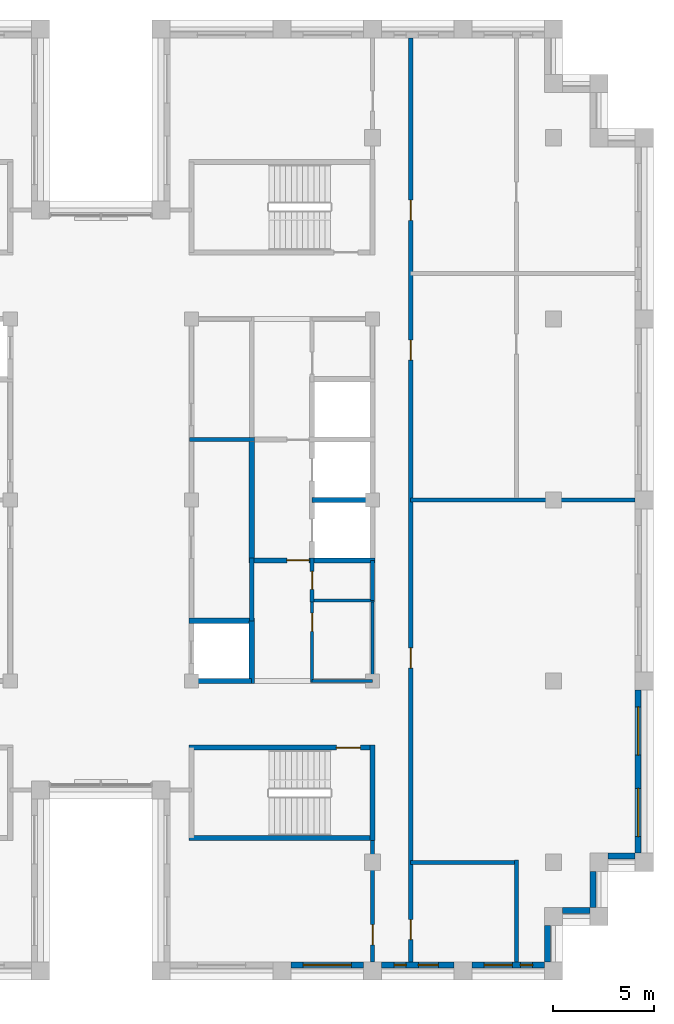
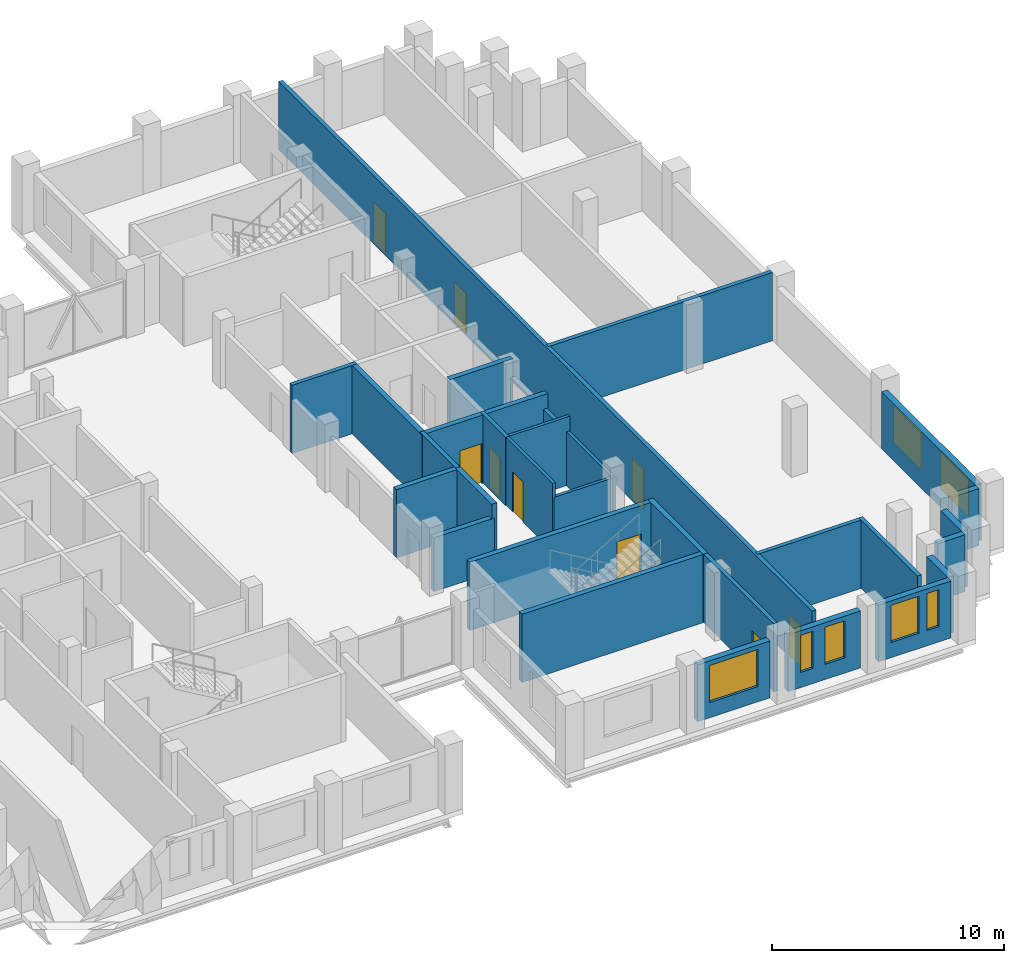
# One storey, part 8 of 13: 30 walls, 9 doors, 7 windows, 16 openings.
"""IFC4 building model written with IfcOpenShell, lengths in metres."""

from ifc_helpers import new_model, si_unit, direction, frame, frame_2d, origin, place, context, subcontext, project, spatial, rectangle, extrude, material, layer, layer_set, type_object, element, fill, save


model = new_model("IFC4")

# Units and contexts
model_context = context("Model", 3, precision=1e-05, world=origin(), true_north=direction((0.0, 1.0)))
body_context = subcontext(model_context, "Body", "Model", "MODEL_VIEW")
ifc_project = project(units=[si_unit("LENGTHUNIT", "METRE"), si_unit("AREAUNIT", "SQUARE_METRE"), si_unit("VOLUMEUNIT", "CUBIC_METRE"), si_unit("PLANEANGLEUNIT", "RADIAN"), si_unit("MASSUNIT", "GRAM", prefix="KILO")], contexts=[model_context])

# Site, building, storey
site_placement = place(None, origin())
site = spatial("IfcSite", under=ifc_project, at=site_placement, CompositionType="ELEMENT")
building_placement = place(site_placement, origin())
building = spatial("IfcBuilding", under=site, at=building_placement, Name="Corbelhall Arena Tower", CompositionType="ELEMENT")
storey_placement = place(building_placement, frame((0.0, 0.0, 316.0)))
storey = spatial("IfcBuildingStorey", under=building, at=storey_placement, Name="L69", CompositionType="ELEMENT", Elevation=316.0)

# Wall, opening, window
ifc_material_1 = material(Name="Precast concrete C40/50 with granite facing", Category="masonry")
ifc_layer_1 = layer(ifc_material_1, 0.300048828125)
ifc_layer_set_1 = layer_set([ifc_layer_1], Name="EV-IW1 Infill panel 300")
wall_type_1 = type_object("IfcWallType", Name="EV-IW1 Infill panel 300", PredefinedType="SOLIDWALL", material=ifc_layer_set_1)
wall_1_placement = place(storey_placement, frame((9.449951171875, -23.10009765625, 0.0), z_axis=(0.0, 0.0, 1.0), x_axis=(1.0, 0.0, 0.0)))
wall_1 = element("IfcWall", 1, at=wall_1_placement, inside=storey, type_object=wall_type_1, Name="Infill panel IW1", PredefinedType="SOLIDWALL", context=body_context, shape_type="SweptSolid", body=[
    extrude(rectangle(XDim=3.60009765625, YDim=0.300048828125, at=frame_2d((1.800048828125, 0.0))), origin(), (0.0, 0.0, 1.0), 2.989990234375),
])
opening_1_placement = place(wall_1_placement, frame((0.60009765625, 0.0, 0.800048828125)))
opening_1 = element("IfcOpeningElement", 2, at=opening_1_placement, cuts=wall_1, Name="Opening WN1", PredefinedType="OPENING", context=body_context, shape_type="SweptSolid", body=[
    extrude(rectangle(XDim=2.39990234375, YDim=1.949951171875, at=frame_2d((1.199951171875, 0.97509765625))), frame((0.0, 0.14990234375, 0.0), z_axis=(0.0, -1.0, 0.0), x_axis=(1.0, 0.0, 0.0)), (0.0, 0.0, 1.0), 0.300048828125),
])
ifc_material_2 = material(Name="Aluminium black anodised", Category="aluminium")
window_type_1 = type_object("IfcWindowType", Name="EV-WN1 Office window", PartitioningType="SINGLE_PANEL", PredefinedType="WINDOW", material=ifc_material_2)
window_1_placement = place(opening_1_placement, origin())
window_1 = element("IfcWindow", 3, at=window_1_placement, inside=storey, type_object=window_type_1, Name="Window WN1", OverallHeight=1.949951171875, OverallWidth=2.39990234375, PartitioningType="SINGLE_PANEL", PredefinedType="WINDOW", context=body_context, shape_type="SweptSolid", body=[
    extrude(rectangle(XDim=2.39990234375, YDim=1.949951171875, at=frame_2d((1.199951171875, 0.97509765625))), frame((0.0, 0.030029296875, 0.0), z_axis=(0.0, -1.0, 0.0), x_axis=(1.0, 0.0, 0.0)), (0.0, 0.0, 1.0), 0.06005859375),
])
fill(opening_1, window_1)

# Wall, openings, windows
wall_2_placement = place(storey_placement, frame((13.949951171875, -23.10009765625, 0.0), z_axis=(0.0, 0.0, 1.0), x_axis=(1.0, 0.0, 0.0)))
wall_2 = element("IfcWall", 4, at=wall_2_placement, inside=storey, type_object=wall_type_1, Name="Infill panel IW1", PredefinedType="SOLIDWALL", context=body_context, shape_type="SweptSolid", body=[
    extrude(rectangle(XDim=3.60009765625, YDim=0.300048828125, at=frame_2d((1.800048828125, 0.0))), origin(), (0.0, 0.0, 1.0), 2.989990234375),
])
opening_2_placement = place(wall_2_placement, frame((0.625, 0.0, 0.800048828125)))
opening_2 = element("IfcOpeningElement", 5, at=opening_2_placement, cuts=wall_2, Name="Opening WN5", PredefinedType="OPENING", context=body_context, shape_type="SweptSolid", body=[
    extrude(rectangle(XDim=0.60009765625, YDim=1.949951171875, at=frame_2d((0.300048828125, 0.97509765625))), frame((0.0, 0.14990234375, 0.0), z_axis=(0.0, -1.0, 0.0), x_axis=(1.0, 0.0, 0.0)), (0.0, 0.0, 1.0), 0.300048828125),
])
opening_3_placement = place(wall_2_placement, frame((1.824951171875, 0.0, 0.800048828125)))
opening_3 = element("IfcOpeningElement", 6, at=opening_3_placement, cuts=wall_2, Name="Opening WN6", PredefinedType="OPENING", context=body_context, shape_type="SweptSolid", body=[
    extrude(rectangle(XDim=1.0, YDim=1.949951171875, at=frame_2d((0.5, 0.97509765625))), frame((0.0, 0.14990234375, 0.0), z_axis=(0.0, -1.0, 0.0), x_axis=(1.0, 0.0, 0.0)), (0.0, 0.0, 1.0), 0.300048828125),
])
window_type_2 = type_object("IfcWindowType", Name="EV-WN5 Office window 600", PartitioningType="SINGLE_PANEL", PredefinedType="WINDOW", material=ifc_material_2)
window_2_placement = place(opening_2_placement, origin())
window_2 = element("IfcWindow", 7, at=window_2_placement, inside=storey, type_object=window_type_2, Name="Window WN5", OverallHeight=1.949951171875, OverallWidth=0.60009765625, PartitioningType="SINGLE_PANEL", PredefinedType="WINDOW", context=body_context, shape_type="SweptSolid", body=[
    extrude(rectangle(XDim=0.60009765625, YDim=1.949951171875, at=frame_2d((0.300048828125, 0.97509765625))), frame((0.0, 0.030029296875, 0.0), z_axis=(0.0, -1.0, 0.0), x_axis=(1.0, 0.0, 0.0)), (0.0, 0.0, 1.0), 0.06005859375),
])
fill(opening_2, window_2)
window_type_3 = type_object("IfcWindowType", Name="EV-WN6 Office window 1000", PartitioningType="SINGLE_PANEL", PredefinedType="WINDOW", material=ifc_material_2)
window_3_placement = place(opening_3_placement, origin())
window_3 = element("IfcWindow", 8, at=window_3_placement, inside=storey, type_object=window_type_3, Name="Window WN6", OverallHeight=1.949951171875, OverallWidth=1.0, PartitioningType="SINGLE_PANEL", PredefinedType="WINDOW", context=body_context, shape_type="SweptSolid", body=[
    extrude(rectangle(XDim=1.0, YDim=1.949951171875, at=frame_2d((0.5, 0.97509765625))), frame((0.0, 0.030029296875, 0.0), z_axis=(0.0, -1.0, 0.0), x_axis=(1.0, 0.0, 0.0)), (0.0, 0.0, 1.0), 0.06005859375),
])
fill(opening_3, window_3)

wall_3_placement = place(storey_placement, frame((18.449951171875, -23.10009765625, 0.0), z_axis=(0.0, 0.0, 1.0), x_axis=(1.0, 0.0, 0.0)))
wall_3 = element("IfcWall", 9, at=wall_3_placement, inside=storey, type_object=wall_type_1, Name="Infill panel IW1", PredefinedType="SOLIDWALL", context=body_context, shape_type="SweptSolid", body=[
    extrude(rectangle(XDim=3.60009765625, YDim=0.300048828125, at=frame_2d((1.800048828125, 0.0))), origin(), (0.0, 0.0, 1.0), 2.989990234375),
])
opening_4_placement = place(wall_3_placement, frame((0.60009765625, 0.0, 0.800048828125)))
opening_4 = element("IfcOpeningElement", 10, at=opening_4_placement, cuts=wall_3, Name="Opening WN7", PredefinedType="OPENING", context=body_context, shape_type="SweptSolid", body=[
    extrude(rectangle(XDim=1.39990234375, YDim=1.949951171875, at=frame_2d((0.699951171875, 0.97509765625))), frame((0.0, 0.14990234375, 0.0), z_axis=(0.0, -1.0, 0.0), x_axis=(1.0, 0.0, 0.0)), (0.0, 0.0, 1.0), 0.300048828125),
])
opening_5_placement = place(wall_3_placement, frame((2.39990234375, 0.0, 0.800048828125)))
opening_5 = element("IfcOpeningElement", 11, at=opening_5_placement, cuts=wall_3, Name="Opening WN5", PredefinedType="OPENING", context=body_context, shape_type="SweptSolid", body=[
    extrude(rectangle(XDim=0.60009765625, YDim=1.949951171875, at=frame_2d((0.300048828125, 0.97509765625))), frame((0.0, 0.14990234375, 0.0), z_axis=(0.0, -1.0, 0.0), x_axis=(1.0, 0.0, 0.0)), (0.0, 0.0, 1.0), 0.300048828125),
])
window_4_placement = place(opening_5_placement, origin())
window_4 = element("IfcWindow", 12, at=window_4_placement, inside=storey, type_object=window_type_2, Name="Window WN5", OverallHeight=1.949951171875, OverallWidth=0.60009765625, PartitioningType="SINGLE_PANEL", PredefinedType="WINDOW", context=body_context, shape_type="SweptSolid", body=[
    extrude(rectangle(XDim=0.60009765625, YDim=1.949951171875, at=frame_2d((0.300048828125, 0.97509765625))), frame((0.0, 0.030029296875, 0.0), z_axis=(0.0, -1.0, 0.0), x_axis=(1.0, 0.0, 0.0)), (0.0, 0.0, 1.0), 0.06005859375),
])
fill(opening_5, window_4)
window_type_4 = type_object("IfcWindowType", Name="EV-WN7 Office window 1400", PartitioningType="SINGLE_PANEL", PredefinedType="WINDOW", material=ifc_material_2)
window_5_placement = place(opening_4_placement, origin())
window_5 = element("IfcWindow", 13, at=window_5_placement, inside=storey, type_object=window_type_4, Name="Window WN7", OverallHeight=1.949951171875, OverallWidth=1.39990234375, PartitioningType="SINGLE_PANEL", PredefinedType="WINDOW", context=body_context, shape_type="SweptSolid", body=[
    extrude(rectangle(XDim=1.39990234375, YDim=1.949951171875, at=frame_2d((0.699951171875, 0.97509765625))), frame((0.0, 0.030029296875, 0.0), z_axis=(0.0, -1.0, 0.0), x_axis=(1.0, 0.0, 0.0)), (0.0, 0.0, 1.0), 0.06005859375),
])
fill(opening_4, window_5)

# Walls
wall_4_placement = place(storey_placement, frame((22.199951171875, -22.949951171875, 0.0), z_axis=(0.0, 0.0, 1.0), x_axis=(0.0, 1.0, 0.0)))
element("IfcWall", 14, at=wall_4_placement, inside=storey, type_object=wall_type_1, Name="Infill panel IW1", PredefinedType="SOLIDWALL", context=body_context, shape_type="SweptSolid", body=[
    extrude(rectangle(XDim=1.800048828125, YDim=0.300048828125, at=frame_2d((0.89990234375, 0.0))), origin(), (0.0, 0.0, 1.0), 2.989990234375),
])
wall_5_placement = place(storey_placement, frame((22.949951171875, -20.39990234375, 0.0), z_axis=(0.0, 0.0, 1.0), x_axis=(1.0, 0.0, 0.0)))
element("IfcWall", 15, at=wall_5_placement, inside=storey, type_object=wall_type_1, Name="Infill panel IW1", PredefinedType="SOLIDWALL", context=body_context, shape_type="SweptSolid", body=[
    extrude(rectangle(XDim=1.35009765625, YDim=0.300048828125, at=frame_2d((0.675048828125, 0.0))), origin(), (0.0, 0.0, 1.0), 2.989990234375),
])
wall_6_placement = place(storey_placement, frame((24.449951171875, -20.25, 0.0), z_axis=(0.0, 0.0, 1.0), x_axis=(0.0, 1.0, 0.0)))
element("IfcWall", 16, at=wall_6_placement, inside=storey, type_object=wall_type_1, Name="Infill panel IW1", PredefinedType="SOLIDWALL", context=body_context, shape_type="SweptSolid", body=[
    extrude(rectangle(XDim=1.800048828125, YDim=0.300048828125, at=frame_2d((0.89990234375, 0.0))), origin(), (0.0, 0.0, 1.0), 2.989990234375),
])
wall_7_placement = place(storey_placement, frame((25.199951171875, -17.699951171875, 0.0), z_axis=(0.0, 0.0, 1.0), x_axis=(1.0, 0.0, 0.0)))
element("IfcWall", 17, at=wall_7_placement, inside=storey, type_object=wall_type_1, Name="Infill panel IW1", PredefinedType="SOLIDWALL", context=body_context, shape_type="SweptSolid", body=[
    extrude(rectangle(XDim=1.35009765625, YDim=0.300048828125, at=frame_2d((0.675048828125, 0.0))), origin(), (0.0, 0.0, 1.0), 2.989990234375),
])

# Wall, openings, windows
wall_8_placement = place(storey_placement, frame((26.699951171875, -17.550048828125, 0.0), z_axis=(0.0, 0.0, 1.0), x_axis=(0.0, 1.0, 0.0)))
wall_8 = element("IfcWall", 18, at=wall_8_placement, inside=storey, type_object=wall_type_1, Name="Infill panel IW1", PredefinedType="SOLIDWALL", context=body_context, shape_type="SweptSolid", body=[
    extrude(rectangle(XDim=8.10009765625, YDim=0.300048828125, at=frame_2d((4.050048828125, 0.0))), origin(), (0.0, 0.0, 1.0), 2.989990234375),
])
opening_6_placement = place(wall_8_placement, frame((0.824951171875, 0.0, 0.800048828125)))
opening_6 = element("IfcOpeningElement", 19, at=opening_6_placement, cuts=wall_8, Name="Opening WN1", PredefinedType="OPENING", context=body_context, shape_type="SweptSolid", body=[
    extrude(rectangle(XDim=2.39990234375, YDim=1.949951171875, at=frame_2d((1.199951171875, 0.97509765625))), frame((0.0, 0.14990234375, 0.0), z_axis=(0.0, -1.0, 0.0), x_axis=(1.0, 0.0, 0.0)), (0.0, 0.0, 1.0), 0.300048828125),
])
opening_7_placement = place(wall_8_placement, frame((4.875, 0.0, 0.800048828125)))
opening_7 = element("IfcOpeningElement", 20, at=opening_7_placement, cuts=wall_8, Name="Opening WN1", PredefinedType="OPENING", context=body_context, shape_type="SweptSolid", body=[
    extrude(rectangle(XDim=2.39990234375, YDim=1.949951171875, at=frame_2d((1.199951171875, 0.97509765625))), frame((0.0, 0.14990234375, 0.0), z_axis=(0.0, -1.0, 0.0), x_axis=(1.0, 0.0, 0.0)), (0.0, 0.0, 1.0), 0.300048828125),
])
window_6_placement = place(opening_6_placement, origin())
window_6 = element("IfcWindow", 21, at=window_6_placement, inside=storey, type_object=window_type_1, Name="Window WN1", OverallHeight=1.949951171875, OverallWidth=2.39990234375, PartitioningType="SINGLE_PANEL", PredefinedType="WINDOW", context=body_context, shape_type="SweptSolid", body=[
    extrude(rectangle(XDim=2.39990234375, YDim=1.949951171875, at=frame_2d((1.199951171875, 0.97509765625))), frame((0.0, 0.030029296875, 0.0), z_axis=(0.0, -1.0, 0.0), x_axis=(1.0, 0.0, 0.0)), (0.0, 0.0, 1.0), 0.06005859375),
])
fill(opening_6, window_6)
window_7_placement = place(opening_7_placement, origin())
window_7 = element("IfcWindow", 22, at=window_7_placement, inside=storey, type_object=window_type_1, Name="Window WN1", OverallHeight=1.949951171875, OverallWidth=2.39990234375, PartitioningType="SINGLE_PANEL", PredefinedType="WINDOW", context=body_context, shape_type="SweptSolid", body=[
    extrude(rectangle(XDim=2.39990234375, YDim=1.949951171875, at=frame_2d((1.199951171875, 0.97509765625))), frame((0.0, 0.030029296875, 0.0), z_axis=(0.0, -1.0, 0.0), x_axis=(1.0, 0.0, 0.0)), (0.0, 0.0, 1.0), 0.06005859375),
])
fill(opening_7, window_7)

# Wall, opening, door
ifc_material_3 = material(Name="Gypsum board on steel stud, acoustic", Category="steel")
ifc_layer_2 = layer(ifc_material_3, 0.199951171875)
ifc_layer_set_2 = layer_set([ifc_layer_2], Name="IN-W-DM200")
wall_type_2 = type_object("IfcWallType", Name="IN-W-DM200", PredefinedType="PARTITIONING", material=ifc_layer_set_2)
wall_9_placement = place(storey_placement, frame((13.5, -22.949951171875, 0.0), z_axis=(0.0, 0.0, 1.0), x_axis=(0.0, 1.0, 0.0)))
wall_9 = element("IfcWall", 23, at=wall_9_placement, inside=storey, type_object=wall_type_2, Name="Partition 016", PredefinedType="PARTITIONING", context=body_context, shape_type="SweptSolid", body=[
    extrude(rectangle(XDim=6.27490234375, YDim=0.199951171875, at=frame_2d((3.137451171875, 0.0))), origin(), (0.0, 0.0, 1.0), 3.590087890625),
])
opening_8_placement = place(wall_9_placement, frame((0.85009765625, 0.0, 0.0)))
opening_8 = element("IfcOpeningElement", 24, at=opening_8_placement, cuts=wall_9, Name="Opening 22020", PredefinedType="OPENING", context=body_context, shape_type="SweptSolid", body=[
    extrude(rectangle(XDim=1.0, YDim=2.10009765625, at=frame_2d((0.5, 1.050048828125))), frame((0.0, 0.10009765625, 0.0), z_axis=(0.0, -1.0, 0.0), x_axis=(1.0, 0.0, 0.0)), (0.0, 0.0, 1.0), 0.199951171875),
])
ifc_material_4 = material(Name="Steel door set", Category="steel")
door_type_1 = type_object("IfcDoorType", Name="IN-D-SW100", OperationType="NOTDEFINED", PredefinedType="DOOR", material=ifc_material_4)
door_1_placement = place(opening_8_placement, origin())
door_1 = element("IfcDoor", 25, at=door_1_placement, inside=storey, type_object=door_type_1, Name="Door 020", OperationType="SINGLE_SWING_LEFT", OverallHeight=2.10009765625, OverallWidth=1.0, PredefinedType="DOOR", context=body_context, shape_type="SweptSolid", body=[
    extrude(rectangle(XDim=1.0, YDim=2.10009765625, at=frame_2d((0.5, 1.050048828125))), frame((0.0, 0.02490234375, 0.0), z_axis=(0.0, -1.0, 0.0), x_axis=(1.0, 0.0, 0.0)), (0.0, 0.0, 1.0), 0.050048828125),
])
fill(opening_8, door_1)

# Wall
wall_10_placement = place(storey_placement, frame((15.39990234375, -18.0, 0.0), z_axis=(0.0, 0.0, 1.0), x_axis=(1.0, 0.0, 0.0)))
element("IfcWall", 26, at=wall_10_placement, inside=storey, type_object=wall_type_2, Name="Partition 018", PredefinedType="PARTITIONING", context=body_context, shape_type="SweptSolid", body=[
    extrude(rectangle(XDim=5.25, YDim=0.199951171875, at=frame_2d((2.625, 0.0))), origin(), (0.0, 0.0, 1.0), 3.590087890625),
])

# Wall, openings, doors
wall_11_placement = place(storey_placement, frame((15.39990234375, 22.949951171875, 0.0), z_axis=(0.0, 0.0, 1.0), x_axis=(0.0, -1.0, 0.0)))
wall_11 = element("IfcWall", 27, at=wall_11_placement, inside=storey, type_object=wall_type_2, Name="Partition 019", PredefinedType="PARTITIONING", context=body_context, shape_type="SweptSolid", body=[
    extrude(rectangle(XDim=45.89990234375, YDim=0.199951171875, at=frame_2d((22.949951171875, 0.0))), origin(), (0.0, 0.0, 1.0), 3.590087890625),
])
opening_9_placement = place(wall_11_placement, frame((15.0, 0.0, 0.0)))
opening_9 = element("IfcOpeningElement", 28, at=opening_9_placement, cuts=wall_11, Name="Opening 22027", PredefinedType="OPENING", context=body_context, shape_type="SweptSolid", body=[
    extrude(rectangle(XDim=1.0, YDim=2.10009765625, at=frame_2d((0.5, 1.050048828125))), frame((0.0, 0.10009765625, 0.0), z_axis=(0.0, -1.0, 0.0), x_axis=(1.0, 0.0, 0.0)), (0.0, 0.0, 1.0), 0.199951171875),
])
opening_10_placement = place(wall_11_placement, frame((8.050048828125, 0.0, 0.0)))
opening_10 = element("IfcOpeningElement", 29, at=opening_10_placement, cuts=wall_11, Name="Opening 22029", PredefinedType="OPENING", context=body_context, shape_type="SweptSolid", body=[
    extrude(rectangle(XDim=1.0, YDim=2.10009765625, at=frame_2d((0.5, 1.050048828125))), frame((0.0, 0.10009765625, 0.0), z_axis=(0.0, -1.0, 0.0), x_axis=(1.0, 0.0, 0.0)), (0.0, 0.0, 1.0), 0.199951171875),
])
opening_11_placement = place(wall_11_placement, frame((43.800048828125, 0.0, 0.0)))
opening_11 = element("IfcOpeningElement", 30, at=opening_11_placement, cuts=wall_11, Name="Opening 22031", PredefinedType="OPENING", context=body_context, shape_type="SweptSolid", body=[
    extrude(rectangle(XDim=1.0, YDim=2.10009765625, at=frame_2d((0.5, 1.050048828125))), frame((0.0, 0.10009765625, 0.0), z_axis=(0.0, -1.0, 0.0), x_axis=(1.0, 0.0, 0.0)), (0.0, 0.0, 1.0), 0.199951171875),
])
opening_12_placement = place(wall_11_placement, frame((30.300048828125, 0.0, 0.0)))
opening_12 = element("IfcOpeningElement", 31, at=opening_12_placement, cuts=wall_11, Name="Opening 22032", PredefinedType="OPENING", context=body_context, shape_type="SweptSolid", body=[
    extrude(rectangle(XDim=1.0, YDim=2.10009765625, at=frame_2d((0.5, 1.050048828125))), frame((0.0, 0.10009765625, 0.0), z_axis=(0.0, -1.0, 0.0), x_axis=(1.0, 0.0, 0.0)), (0.0, 0.0, 1.0), 0.199951171875),
])
door_2_placement = place(opening_9_placement, origin())
door_2 = element("IfcDoor", 32, at=door_2_placement, inside=storey, type_object=door_type_1, Name="Door 027", OperationType="SINGLE_SWING_RIGHT", OverallHeight=2.10009765625, OverallWidth=1.0, PredefinedType="DOOR", context=body_context, shape_type="SweptSolid", body=[
    extrude(rectangle(XDim=1.0, YDim=2.10009765625, at=frame_2d((0.5, 1.050048828125))), frame((0.0, 0.02490234375, 0.0), z_axis=(0.0, -1.0, 0.0), x_axis=(1.0, 0.0, 0.0)), (0.0, 0.0, 1.0), 0.050048828125),
])
fill(opening_9, door_2)
door_3_placement = place(opening_10_placement, origin())
door_3 = element("IfcDoor", 33, at=door_3_placement, inside=storey, type_object=door_type_1, Name="Door 029", OperationType="SINGLE_SWING_RIGHT", OverallHeight=2.10009765625, OverallWidth=1.0, PredefinedType="DOOR", context=body_context, shape_type="SweptSolid", body=[
    extrude(rectangle(XDim=1.0, YDim=2.10009765625, at=frame_2d((0.5, 1.050048828125))), frame((0.0, 0.02490234375, 0.0), z_axis=(0.0, -1.0, 0.0), x_axis=(1.0, 0.0, 0.0)), (0.0, 0.0, 1.0), 0.050048828125),
])
fill(opening_10, door_3)
door_4_placement = place(opening_11_placement, origin())
door_4 = element("IfcDoor", 34, at=door_4_placement, inside=storey, type_object=door_type_1, Name="Door 031", OperationType="SINGLE_SWING_RIGHT", OverallHeight=2.10009765625, OverallWidth=1.0, PredefinedType="DOOR", context=body_context, shape_type="SweptSolid", body=[
    extrude(rectangle(XDim=1.0, YDim=2.10009765625, at=frame_2d((0.5, 1.050048828125))), frame((0.0, 0.02490234375, 0.0), z_axis=(0.0, -1.0, 0.0), x_axis=(1.0, 0.0, 0.0)), (0.0, 0.0, 1.0), 0.050048828125),
])
fill(opening_11, door_4)
door_5_placement = place(opening_12_placement, origin())
door_5 = element("IfcDoor", 35, at=door_5_placement, inside=storey, type_object=door_type_1, Name="Door 032", OperationType="SINGLE_SWING_LEFT", OverallHeight=2.10009765625, OverallWidth=1.0, PredefinedType="DOOR", context=body_context, shape_type="SweptSolid", body=[
    extrude(rectangle(XDim=1.0, YDim=2.10009765625, at=frame_2d((0.5, 1.050048828125))), frame((0.0, 0.02490234375, 0.0), z_axis=(0.0, -1.0, 0.0), x_axis=(1.0, 0.0, 0.0)), (0.0, 0.0, 1.0), 0.050048828125),
])
fill(opening_12, door_5)

# Walls
wall_12_placement = place(storey_placement, frame((20.64990234375, -17.89990234375, 0.0), z_axis=(0.0, 0.0, 1.0), x_axis=(0.0, -1.0, 0.0)))
element("IfcWall", 36, at=wall_12_placement, inside=storey, type_object=wall_type_2, Name="Partition 021", PredefinedType="PARTITIONING", context=body_context, shape_type="SweptSolid", body=[
    extrude(rectangle(XDim=5.050048828125, YDim=0.199951171875, at=frame_2d((2.52490234375, 0.0))), origin(), (0.0, 0.0, 1.0), 3.590087890625),
])
wall_13_placement = place(storey_placement, frame((26.550048828125, 0.0, 0.0), z_axis=(0.0, 0.0, 1.0), x_axis=(-1.0, 0.0, 0.0)))
element("IfcWall", 37, at=wall_13_placement, inside=storey, type_object=wall_type_2, Name="Partition 022", PredefinedType="PARTITIONING", context=body_context, shape_type="SweptSolid", body=[
    extrude(rectangle(XDim=11.150146484375, YDim=0.199951171875, at=frame_2d((5.5751953125, 0.0))), origin(), (0.0, 0.0, 1.0), 3.590087890625),
])
ifc_material_5 = material(Name="Concrete block wall", Category="concrete")
ifc_layer_3 = layer(ifc_material_5, 0.199951171875)
ifc_layer_set_3 = layer_set([ifc_layer_3], Name="IN-W-RS200")
wall_type_3 = type_object("IfcWallType", Name="IN-W-RS200", PredefinedType="SOLIDWALL", material=ifc_layer_set_3)
wall_14_placement = place(storey_placement, frame((4.39990234375, 3.0, 0.0), z_axis=(0.0, 0.0, 1.0), x_axis=(1.0, 0.0, 0.0)))
element("IfcWall", 38, at=wall_14_placement, inside=storey, type_object=wall_type_3, Name="Partition 031", PredefinedType="SOLIDWALL", context=body_context, shape_type="SweptSolid", body=[
    extrude(rectangle(XDim=3.22509765625, YDim=0.199951171875, at=frame_2d((1.612548828125, 0.0))), origin(), (0.0, 0.0, 1.0), 3.590087890625),
])
wall_15_placement = place(storey_placement, frame((7.5, -2.875, 0.0), z_axis=(0.0, 0.0, 1.0), x_axis=(0.0, -1.0, 0.0)))
element("IfcWall", 39, at=wall_15_placement, inside=storey, type_object=wall_type_3, Name="Partition 034", PredefinedType="SOLIDWALL", context=body_context, shape_type="SweptSolid", body=[
    extrude(rectangle(XDim=3.125, YDim=0.199951171875, at=frame_2d((1.5625, 0.0))), origin(), (0.0, 0.0, 1.0), 3.590087890625),
])

# Wall, opening, door
wall_16_placement = place(storey_placement, frame((10.5, -2.875, 0.0), z_axis=(0.0, 0.0, 1.0), x_axis=(0.0, -1.0, 0.0)))
wall_16 = element("IfcWall", 40, at=wall_16_placement, inside=storey, type_object=wall_type_3, Name="Partition 036", PredefinedType="SOLIDWALL", context=body_context, shape_type="SweptSolid", body=[
    extrude(rectangle(XDim=2.199951171875, YDim=0.199951171875, at=frame_2d((1.10009765625, 0.0))), origin(), (0.0, 0.0, 1.0), 3.590087890625),
])
opening_13_placement = place(wall_16_placement, frame((0.669921875, 0.0, 0.0)))
opening_13 = element("IfcOpeningElement", 41, at=opening_13_placement, cuts=wall_16, Name="Opening 22033", PredefinedType="OPENING", context=body_context, shape_type="SweptSolid", body=[
    extrude(rectangle(XDim=0.89990234375, YDim=2.10009765625, at=frame_2d((0.449951171875, 1.050048828125))), frame((0.0, 0.10009765625, 0.0), z_axis=(0.0, -1.0, 0.0), x_axis=(1.0, 0.0, 0.0)), (0.0, 0.0, 1.0), 0.199951171875),
])
ifc_material_6 = material(Name="Timber door set", Category="wood")
door_type_2 = type_object("IfcDoorType", Name="IN-D-SW90", OperationType="NOTDEFINED", PredefinedType="DOOR", material=ifc_material_6)
door_6_placement = place(opening_13_placement, origin())
door_6 = element("IfcDoor", 42, at=door_6_placement, inside=storey, type_object=door_type_2, Name="Door 033", OperationType="SINGLE_SWING_LEFT", OverallHeight=2.10009765625, OverallWidth=0.89990234375, PredefinedType="DOOR", context=body_context, shape_type="SweptSolid", body=[
    extrude(rectangle(XDim=0.89990234375, YDim=2.10009765625, at=frame_2d((0.449951171875, 1.050048828125))), frame((0.0, 0.02490234375, 0.0), z_axis=(0.0, -1.0, 0.0), x_axis=(1.0, 0.0, 0.0)), (0.0, 0.0, 1.0), 0.050048828125),
])
fill(opening_13, door_6)

# Walls
ifc_layer_4 = layer(ifc_material_5, 0.199951171875)
ifc_layer_set_4 = layer_set([ifc_layer_4], Name="IN-W-RS200 under beam 762 mm")
wall_type_4 = type_object("IfcWallType", Name="IN-W-RS200 under beam 762 mm", PredefinedType="SOLIDWALL", material=ifc_layer_set_4)
wall_17_placement = place(storey_placement, frame((13.5, -3.0, 0.0), z_axis=(0.0, 0.0, 1.0), x_axis=(0.0, -1.0, 0.0)))
element("IfcWall", 43, at=wall_17_placement, inside=storey, type_object=wall_type_4, Name="Partition 039", PredefinedType="SOLIDWALL", context=body_context, shape_type="SweptSolid", body=[
    extrude(rectangle(XDim=2.0, YDim=0.199951171875, at=frame_2d((1.0, 0.0))), origin(), (0.0, 0.0, 1.0), 2.827880859375),
])
ifc_material_7 = material(Name="Concrete C40/50", Category="concrete")
ifc_layer_5 = layer(ifc_material_7, 0.25)
ifc_layer_set_5 = layer_set([ifc_layer_5], Name="IN-W-SH250")
wall_type_5 = type_object("IfcWallType", Name="IN-W-SH250", PredefinedType="SOLIDWALL", material=ifc_layer_set_5)
wall_18_placement = place(storey_placement, frame((4.375, -6.0, 0.0), z_axis=(0.0, 0.0, 1.0), x_axis=(1.0, 0.0, 0.0)))
element("IfcWall", 44, at=wall_18_placement, inside=storey, type_object=wall_type_5, Name="Shaft wall 051", PredefinedType="SOLIDWALL", context=body_context, shape_type="SweptSolid", body=[
    extrude(rectangle(XDim=3.25, YDim=0.25, at=frame_2d((1.625, 0.0))), origin(), (0.0, 0.0, 1.0), 3.590087890625),
])
wall_19_placement = place(storey_placement, frame((7.5, -6.0, 0.0), z_axis=(0.0, 0.0, 1.0), x_axis=(0.0, -1.0, 0.0)))
element("IfcWall", 45, at=wall_19_placement, inside=storey, type_object=wall_type_5, Name="Shaft wall 054", PredefinedType="SOLIDWALL", context=body_context, shape_type="SweptSolid", body=[
    extrude(rectangle(XDim=3.125, YDim=0.25, at=frame_2d((1.5625, 0.0))), origin(), (0.0, 0.0, 1.0), 3.590087890625),
])

# Wall, opening, door
wall_20_placement = place(storey_placement, frame((7.5, -3.0, 0.0), z_axis=(0.0, 0.0, 1.0), x_axis=(1.0, 0.0, 0.0)))
wall_20 = element("IfcWall", 46, at=wall_20_placement, inside=storey, type_object=wall_type_5, Name="Shaft wall 055", PredefinedType="SOLIDWALL", context=body_context, shape_type="SweptSolid", body=[
    extrude(rectangle(XDim=6.125, YDim=0.25, at=frame_2d((3.0625, 0.0))), origin(), (0.0, 0.0, 1.0), 3.590087890625),
])
opening_14_placement = place(wall_20_placement, frame((1.75, 0.0, 0.0)))
opening_14 = element("IfcOpeningElement", 47, at=opening_14_placement, cuts=wall_20, Name="Opening 22010", PredefinedType="OPENING", context=body_context, shape_type="SweptSolid", body=[
    extrude(rectangle(XDim=1.10009765625, YDim=2.10009765625, at=frame_2d((0.550048828125, 1.050048828125))), frame((0.0, 0.125, 0.0), z_axis=(0.0, -1.0, 0.0), x_axis=(1.0, 0.0, 0.0)), (0.0, 0.0, 1.0), 0.25),
])
door_type_3 = type_object("IfcDoorType", Name="IN-D-FD110", OperationType="NOTDEFINED", PredefinedType="DOOR", material=ifc_material_4)
door_7_placement = place(opening_14_placement, origin())
door_7 = element("IfcDoor", 48, at=door_7_placement, inside=storey, type_object=door_type_3, Name="Door 010", OperationType="SINGLE_SWING_LEFT", OverallHeight=2.10009765625, OverallWidth=1.10009765625, PredefinedType="DOOR", context=body_context, shape_type="SweptSolid", body=[
    extrude(rectangle(XDim=1.10009765625, YDim=2.10009765625, at=frame_2d((0.550048828125, 1.050048828125))), frame((0.0, 0.02490234375, 0.0), z_axis=(0.0, -1.0, 0.0), x_axis=(1.0, 0.0, 0.0)), (0.0, 0.0, 1.0), 0.050048828125),
])
fill(opening_14, door_7)

# Walls
wall_21_placement = place(storey_placement, frame((7.5, 3.125, 0.0), z_axis=(0.0, 0.0, 1.0), x_axis=(0.0, -1.0, 0.0)))
element("IfcWall", 49, at=wall_21_placement, inside=storey, type_object=wall_type_5, Name="Shaft wall 057", PredefinedType="SOLIDWALL", context=body_context, shape_type="SweptSolid", body=[
    extrude(rectangle(XDim=6.25, YDim=0.25, at=frame_2d((3.125, 0.0))), origin(), (0.0, 0.0, 1.0), 3.590087890625),
])
wall_22_placement = place(storey_placement, frame((10.5, 0.0, 0.0), z_axis=(0.0, 0.0, 1.0), x_axis=(1.0, 0.0, 0.0)))
element("IfcWall", 50, at=wall_22_placement, inside=storey, type_object=wall_type_5, Name="Shaft wall 058", PredefinedType="SOLIDWALL", context=body_context, shape_type="SweptSolid", body=[
    extrude(rectangle(XDim=3.125, YDim=0.25, at=frame_2d((1.5625, 0.0))), origin(), (0.0, 0.0, 1.0), 3.590087890625),
])
ifc_layer_6 = layer(ifc_material_7, 0.25)
ifc_layer_set_6 = layer_set([ifc_layer_6], Name="IN-W-SH250 under beam 762 mm")
wall_type_6 = type_object("IfcWallType", Name="IN-W-SH250 under beam 762 mm", PredefinedType="SOLIDWALL", material=ifc_layer_set_6)
wall_23_placement = place(storey_placement, frame((7.5, -9.0, 0.0), z_axis=(0.0, 0.0, 1.0), x_axis=(-1.0, 0.0, 0.0)))
element("IfcWall", 51, at=wall_23_placement, inside=storey, type_object=wall_type_6, Name="Shaft wall 053", PredefinedType="SOLIDWALL", context=body_context, shape_type="SweptSolid", body=[
    extrude(rectangle(XDim=3.0, YDim=0.25, at=frame_2d((1.5, 0.0))), origin(), (0.0, 0.0, 1.0), 2.827880859375),
])
ifc_layer_7 = layer(ifc_material_7, 0.25)
ifc_layer_set_7 = layer_set([ifc_layer_7], Name="IN-W-ST250")
wall_type_7 = type_object("IfcWallType", Name="IN-W-ST250", PredefinedType="SOLIDWALL", material=ifc_layer_set_7)
wall_24_placement = place(storey_placement, frame((13.5, -16.925048828125, 0.0), z_axis=(0.0, 0.0, 1.0), x_axis=(0.0, 1.0, 0.0)))
element("IfcWall", 52, at=wall_24_placement, inside=storey, type_object=wall_type_7, Name="Shaft wall 074", PredefinedType="SOLIDWALL", context=body_context, shape_type="SweptSolid", body=[
    extrude(rectangle(XDim=4.75, YDim=0.25, at=frame_2d((2.375, 0.0))), origin(), (0.0, 0.0, 1.0), 3.590087890625),
])
wall_25_placement = place(storey_placement, frame((13.5, -16.800048828125, 0.0), z_axis=(0.0, 0.0, 1.0), x_axis=(-1.0, 0.0, 0.0)))
element("IfcWall", 53, at=wall_25_placement, inside=storey, type_object=wall_type_7, Name="Shaft wall 075", PredefinedType="SOLIDWALL", context=body_context, shape_type="SweptSolid", body=[
    extrude(rectangle(XDim=9.125, YDim=0.25, at=frame_2d((4.5625, 0.0))), origin(), (0.0, 0.0, 1.0), 3.590087890625),
])

# Wall, opening, door
wall_26_placement = place(storey_placement, frame((13.5, -12.300048828125, 0.0), z_axis=(0.0, 0.0, 1.0), x_axis=(-1.0, 0.0, 0.0)))
wall_26 = element("IfcWall", 54, at=wall_26_placement, inside=storey, type_object=wall_type_7, Name="Shaft wall 076", PredefinedType="SOLIDWALL", context=body_context, shape_type="SweptSolid", body=[
    extrude(rectangle(XDim=9.125, YDim=0.25, at=frame_2d((4.5625, 0.0))), origin(), (0.0, 0.0, 1.0), 3.590087890625),
])
opening_15_placement = place(wall_26_placement, frame((0.60009765625, 0.0, 0.0)))
opening_15 = element("IfcOpeningElement", 55, at=opening_15_placement, cuts=wall_26, Name="Opening 22017", PredefinedType="OPENING", context=body_context, shape_type="SweptSolid", body=[
    extrude(rectangle(XDim=1.199951171875, YDim=2.10009765625, at=frame_2d((0.60009765625, 1.050048828125))), frame((0.0, 0.125, 0.0), z_axis=(0.0, -1.0, 0.0), x_axis=(1.0, 0.0, 0.0)), (0.0, 0.0, 1.0), 0.25),
])
door_type_4 = type_object("IfcDoorType", Name="IN-D-ST120", OperationType="NOTDEFINED", PredefinedType="DOOR", material=ifc_material_4)
door_8_placement = place(opening_15_placement, origin())
door_8 = element("IfcDoor", 56, at=door_8_placement, inside=storey, type_object=door_type_4, Name="Door 017", OperationType="SINGLE_SWING_RIGHT", OverallHeight=2.10009765625, OverallWidth=1.199951171875, PredefinedType="DOOR", context=body_context, shape_type="SweptSolid", body=[
    extrude(rectangle(XDim=1.199951171875, YDim=2.10009765625, at=frame_2d((0.60009765625, 1.050048828125))), frame((0.0, 0.02490234375, 0.0), z_axis=(0.0, -1.0, 0.0), x_axis=(1.0, 0.0, 0.0)), (0.0, 0.0, 1.0), 0.050048828125),
])
fill(opening_15, door_8)

# Wall
ifc_material_8 = material(Name="Gypsum board on steel stud, moisture resistant", Category="steel")
ifc_layer_8 = layer(ifc_material_8, 0.14990234375)
ifc_layer_set_8 = layer_set([ifc_layer_8], Name="IN-W-WC150")
wall_type_8 = type_object("IfcWallType", Name="IN-W-WC150", PredefinedType="PARTITIONING", material=ifc_layer_set_8)
wall_27_placement = place(storey_placement, frame((10.5, -5.0, 0.0), z_axis=(0.0, 0.0, 1.0), x_axis=(1.0, 0.0, 0.0)))
element("IfcWall", 57, at=wall_27_placement, inside=storey, type_object=wall_type_8, Name="Partition 085", PredefinedType="PARTITIONING", context=body_context, shape_type="SweptSolid", body=[
    extrude(rectangle(XDim=3.10009765625, YDim=0.14990234375, at=frame_2d((1.550048828125, 0.0))), origin(), (0.0, 0.0, 1.0), 3.590087890625),
])

# Wall, opening, door
wall_28_placement = place(storey_placement, frame((10.5, -4.925048828125, 0.0), z_axis=(0.0, 0.0, 1.0), x_axis=(0.0, -1.0, 0.0)))
wall_28 = element("IfcWall", 58, at=wall_28_placement, inside=storey, type_object=wall_type_8, Name="Partition 086", PredefinedType="PARTITIONING", context=body_context, shape_type="SweptSolid", body=[
    extrude(rectangle(XDim=4.14990234375, YDim=0.14990234375, at=frame_2d((2.074951171875, 0.0))), origin(), (0.0, 0.0, 1.0), 3.590087890625),
])
opening_16_placement = place(wall_28_placement, frame((0.699951171875, 0.0, 0.0)))
opening_16 = element("IfcOpeningElement", 59, at=opening_16_placement, cuts=wall_28, Name="Opening 22012", PredefinedType="OPENING", context=body_context, shape_type="SweptSolid", body=[
    extrude(rectangle(XDim=0.89990234375, YDim=2.10009765625, at=frame_2d((0.449951171875, 1.050048828125))), frame((0.0, 0.074951171875, 0.0), z_axis=(0.0, -1.0, 0.0), x_axis=(1.0, 0.0, 0.0)), (0.0, 0.0, 1.0), 0.14990234375),
])
door_9_placement = place(opening_16_placement, origin())
door_9 = element("IfcDoor", 60, at=door_9_placement, inside=storey, type_object=door_type_2, Name="Door 012", OperationType="SINGLE_SWING_LEFT", OverallHeight=2.10009765625, OverallWidth=0.89990234375, PredefinedType="DOOR", context=body_context, shape_type="SweptSolid", body=[
    extrude(rectangle(XDim=0.89990234375, YDim=2.10009765625, at=frame_2d((0.449951171875, 1.050048828125))), frame((0.0, 0.02490234375, 0.0), z_axis=(0.0, -1.0, 0.0), x_axis=(1.0, 0.0, 0.0)), (0.0, 0.0, 1.0), 0.050048828125),
])
fill(opening_16, door_9)

# Walls
ifc_layer_9 = layer(ifc_material_8, 0.14990234375)
ifc_layer_set_9 = layer_set([ifc_layer_9], Name="IN-W-WC150 under beam 762 mm")
wall_type_9 = type_object("IfcWallType", Name="IN-W-WC150 under beam 762 mm", PredefinedType="PARTITIONING", material=ifc_layer_set_9)
wall_29_placement = place(storey_placement, frame((13.5, -9.0, 0.0), z_axis=(0.0, 0.0, 1.0), x_axis=(-1.0, 0.0, 0.0)))
element("IfcWall", 61, at=wall_29_placement, inside=storey, type_object=wall_type_9, Name="Partition 087", PredefinedType="PARTITIONING", context=body_context, shape_type="SweptSolid", body=[
    extrude(rectangle(XDim=3.0, YDim=0.14990234375, at=frame_2d((1.5, 0.0))), origin(), (0.0, 0.0, 1.0), 2.827880859375),
])
wall_30_placement = place(storey_placement, frame((13.5, -5.0, 0.0), z_axis=(0.0, 0.0, 1.0), x_axis=(0.0, -1.0, 0.0)))
element("IfcWall", 62, at=wall_30_placement, inside=storey, type_object=wall_type_9, Name="Partition 088", PredefinedType="PARTITIONING", context=body_context, shape_type="SweptSolid", body=[
    extrude(rectangle(XDim=4.074951171875, YDim=0.14990234375, at=frame_2d((2.03759765625, 0.0))), origin(), (0.0, 0.0, 1.0), 2.827880859375),
])

save(model, "model.ifc")
